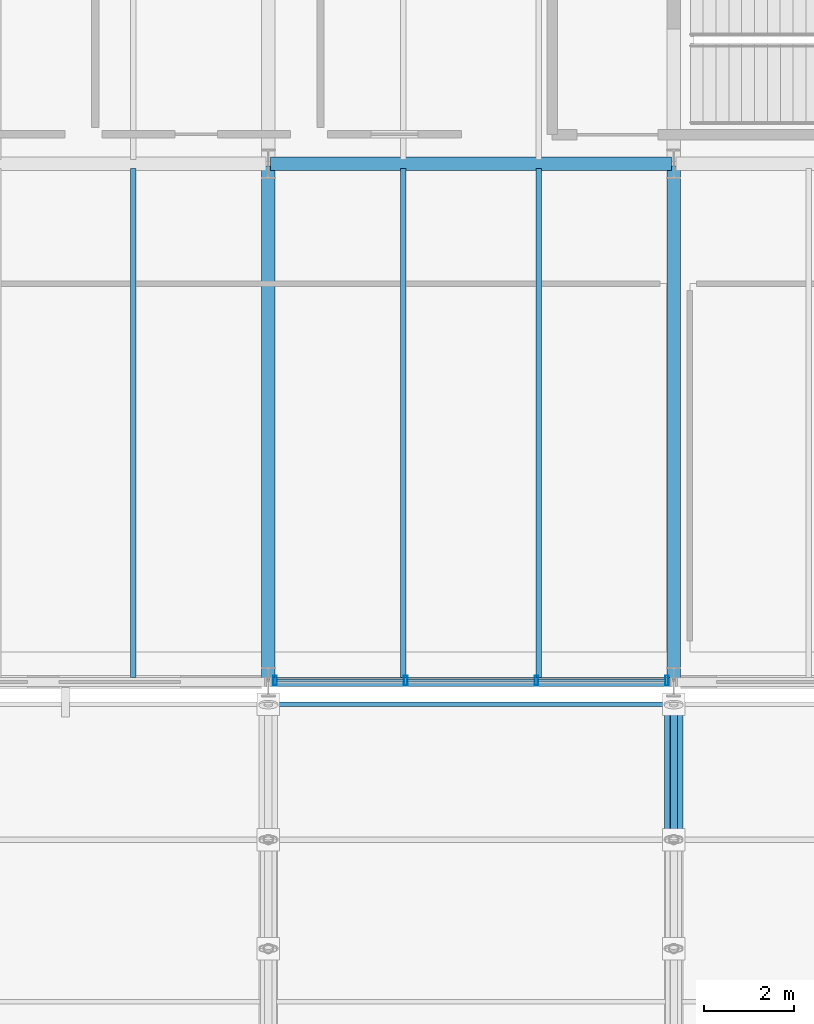
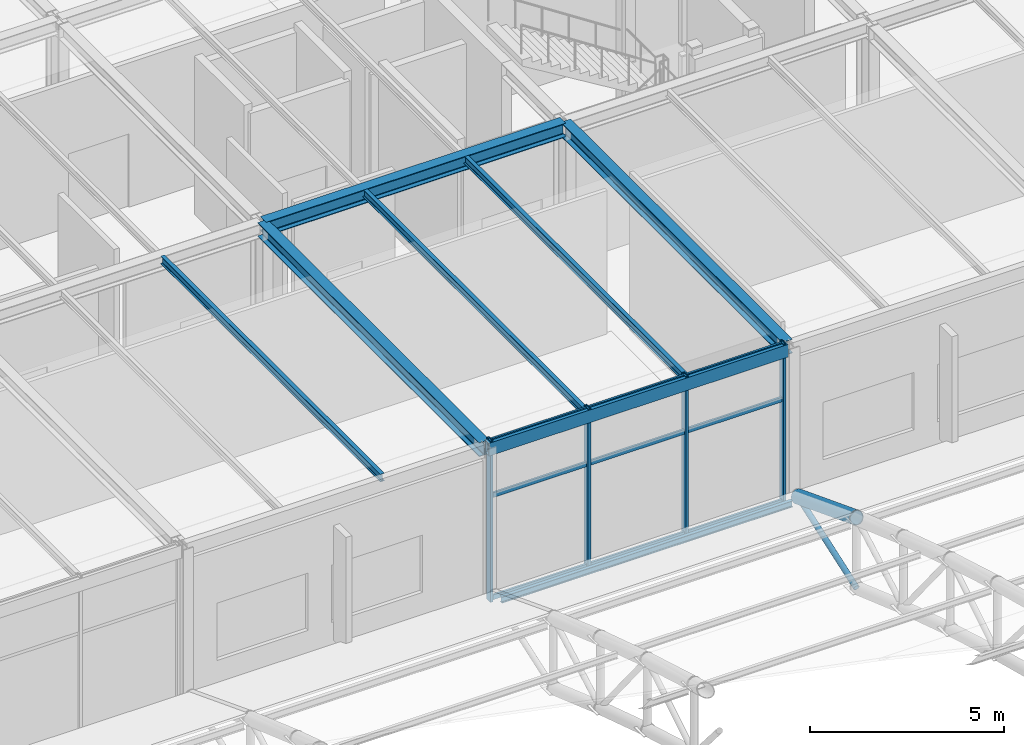
# One storey, part 43 of 195: 16 members, 7 beams, 1 element without a shape of its own.
"""IFC4 building model written with IfcOpenShell, lengths in metres."""

from ifc_helpers import new_model, si_unit, direction, frame, origin, origin_2d, place, context, subcontext, project, spatial, hollow_rectangle, hollow_circle, i_section, extrude, material, layer, layer_set, material_profile, profile_set, type_object, element, aggregate, save


model = new_model("IFC4")

# Units and contexts
model_context = context("Model", 3, precision=1e-05, world=origin(), true_north=direction((0.0, 1.0)))
body_context = subcontext(model_context, "Body", "Model", "MODEL_VIEW")
ifc_project = project(units=[si_unit("LENGTHUNIT", "METRE"), si_unit("AREAUNIT", "SQUARE_METRE"), si_unit("VOLUMEUNIT", "CUBIC_METRE"), si_unit("PLANEANGLEUNIT", "RADIAN"), si_unit("MASSUNIT", "GRAM", prefix="KILO")], contexts=[model_context])

# Site, building, storey
site_placement = place(None, origin())
site = spatial("IfcSite", under=ifc_project, at=site_placement, CompositionType="ELEMENT")
building_placement = place(site_placement, origin())
building = spatial("IfcBuilding", under=site, at=building_placement, Name="Marlcrest Central Station", CompositionType="ELEMENT")
storey_placement = place(building_placement, frame((0.0, 0.0, 9.800048828125)))
storey = spatial("IfcBuildingStorey", under=building, at=storey_placement, Name="L02", CompositionType="ELEMENT", Elevation=9.800048828125)

# Members
ifc_material_1 = material(Name="Steel S355", Category="steel")
ifc_material_profile_1 = material_profile(ifc_material_1, hollow_circle(Radius=0.203125, WallThickness=0.02001953125, at=origin_2d()), Name="CHS 406.4x20")
ifc_profile_set_1 = profile_set([ifc_material_profile_1], Name="Steel S355")
member_type_1 = type_object("IfcMemberType", Name="AC-01", PredefinedType="CHORD", material=ifc_profile_set_1)
member_1_placement = place(storey_placement, frame((45.0, 95.5, 1.599853515625), z_axis=(0.0, 0.933324071143, -0.359035065453), x_axis=(-1.0, 0.0, 0.0)))
element("IfcMember", 1, at=member_1_placement, inside=storey, type_object=member_type_1, Name="mem-AC-01-L02-00739", PredefinedType="CHORD", context=body_context, shape_type="SweptSolid", body=[
    extrude(hollow_circle(Radius=0.203125, WallThickness=0.02001953125, at=origin_2d()), origin(), (0.0, 0.0, 1.0), 3.21435546875),
])
ifc_material_profile_2 = material_profile(ifc_material_1, hollow_circle(Radius=0.084228515625, WallThickness=0.010009765625, at=origin_2d()), Name="CHS 168.3x10")
ifc_profile_set_2 = profile_set([ifc_material_profile_2], Name="Steel S355")
member_type_2 = type_object("IfcMemberType", Name="AD-01", PredefinedType="BRACE", material=ifc_profile_set_2)
member_2_placement = place(storey_placement, frame((45.0, 95.5, -0.60009765625), z_axis=(0.0, 0.944260188635, 0.329200085296), x_axis=(-1.0, 0.0, 0.0)))
element("IfcMember", 2, at=member_2_placement, inside=storey, type_object=member_type_2, Name="mem-AD-01-L02-00741", PredefinedType="BRACE", context=body_context, shape_type="SweptSolid", body=[
    extrude(hollow_circle(Radius=0.084228515625, WallThickness=0.010009765625, at=origin_2d()), origin(), (0.0, 0.0, 1.0), 3.177001953125),
])

# Beams
ifc_material_profile_3 = material_profile(ifc_material_1, i_section(OverallWidth=0.300048828125, OverallDepth=0.43994140625, WebThickness=0.011474609375, FlangeThickness=0.02099609375, FilletRadius=0.027099609375, at=origin_2d()), Name="HEA 450")
ifc_profile_set_3 = profile_set([ifc_material_profile_3], Name="Steel S355")
beam_type_1 = type_object("IfcBeamType", Name="BM-09", PredefinedType="BEAM", material=ifc_profile_set_3)
beam_1_placement = place(storey_placement, frame((36.050048828125, 110.5, 4.780029296875), z_axis=(1.0, 0.0, 0.0), x_axis=(0.0, 1.0, 0.0)))
element("IfcBeam", 3, at=beam_1_placement, inside=storey, type_object=beam_type_1, Name="bm-BM-09-L02-00361", PredefinedType="BEAM", context=body_context, shape_type="SweptSolid", body=[
    extrude(i_section(OverallWidth=0.300048828125, OverallDepth=0.43994140625, WebThickness=0.011474609375, FlangeThickness=0.02099609375, FilletRadius=0.027099609375, at=origin_2d()), origin(), (0.0, 0.0, 1.0), 8.89990234375),
])
for number, where, z_axis, x_axis, name in (
    (4, (36.0, 99.050048828125, 4.780029296875), (0.0, 1.0, 0.0), (-1.0, 0.0, 0.0), "bm-BM-09-L02-00396"),
    (5, (45.0, 99.050048828125, 4.780029296875), (0.0, 1.0, 0.0), (-1.0, 0.0, 0.0), "bm-BM-09-L02-00399"),
):
    element("IfcBeam", number, at=place(storey_placement, frame(where, z_axis=z_axis, x_axis=x_axis)), inside=storey, type_object=beam_type_1, Name=name, PredefinedType="BEAM", context=body_context, shape_type="SweptSolid", body=[
        extrude(i_section(OverallWidth=0.300048828125, OverallDepth=0.43994140625, WebThickness=0.011474609375, FlangeThickness=0.02099609375, FilletRadius=0.027099609375, at=origin_2d()), origin(), (0.0, 0.0, 1.0), 11.39990234375),
    ])
ifc_material_profile_4 = material_profile(ifc_material_1, i_section(OverallWidth=0.1201171875, OverallDepth=0.239990234375, WebThickness=0.006103515625, FlangeThickness=0.009765625, FilletRadius=0.014892578125, at=origin_2d()), Name="IPE 240")
ifc_profile_set_4 = profile_set([ifc_material_profile_4], Name="Steel S355")
beam_type_2 = type_object("IfcBeamType", Name="JS-03", PredefinedType="JOIST", material=ifc_profile_set_4)
for number, where, z_axis, x_axis, name in (
    (6, (33.0, 99.094970703125, 4.8798828125), (0.0, 1.0, 0.0), (-1.0, 0.0, 0.0), "bm-JS-03-L02-00435"),
    (7, (39.0, 99.094970703125, 4.8798828125), (0.0, 1.0, 0.0), (-1.0, 0.0, 0.0), "bm-JS-03-L02-00438"),
    (8, (42.0, 99.094970703125, 4.8798828125), (0.0, 1.0, 0.0), (-1.0, 0.0, 0.0), "bm-JS-03-L02-00441"),
):
    element("IfcBeam", number, at=place(storey_placement, frame(where, z_axis=z_axis, x_axis=x_axis)), inside=storey, type_object=beam_type_2, Name=name, PredefinedType="JOIST", context=body_context, shape_type="SweptSolid", body=[
        extrude(i_section(OverallWidth=0.1201171875, OverallDepth=0.239990234375, WebThickness=0.006103515625, FlangeThickness=0.009765625, FilletRadius=0.014892578125, at=origin_2d()), origin(), (0.0, 0.0, 1.0), 11.304931640625),
    ])

# Curtain wall, members
ifc_material_2 = material(Name="Anodised aluminium and hurricane laminated glass", Category="aluminium")
ifc_layer = layer(ifc_material_2, 0.219970703125, Name="CW-U1")
ifc_layer_set = layer_set([ifc_layer], Name="Anodised aluminium and hurricane laminated glass")
curtain_wall_type = type_object("IfcCurtainWallType", Name="CW-U1", PredefinedType="USERDEFINED", material=ifc_layer_set)
curtain_wall_placement = place(storey_placement, origin())
curtain_wall = element("IfcCurtainWall", 9, at=curtain_wall_placement, inside=storey, type_object=curtain_wall_type, Name="cw-L02-0161", ObjectType="UNITISED_CURTAIN_WALL", PredefinedType="USERDEFINED")
ifc_material_3 = material(Name="Anodised aluminium 6063-T6", Category="aluminium")
ifc_material_profile_5 = material_profile(ifc_material_3, hollow_rectangle(XDim=0.080078125, YDim=0.219970703125, WallThickness=0.006103515625, at=origin_2d()), Name="AA-RHS 220x80x6")
ifc_profile_set_5 = profile_set([ifc_material_profile_5], Name="Anodised aluminium 6063-T6")
member_type_3 = type_object("IfcMemberType", Name="ML-01", PredefinedType="MULLION", material=ifc_profile_set_5)
member_3_placement = place(storey_placement, frame((44.85009765625, 99.030029296875, -0.030029296875), z_axis=(0.0, 0.0, 1.0), x_axis=(1.0, 0.0, 0.0)))
member_3 = element("IfcMember", 10, at=member_3_placement, type_object=member_type_3, Name="cw-L02-0161-ml-0", PredefinedType="MULLION", context=body_context, shape_type="SweptSolid", body=[
    extrude(hollow_rectangle(XDim=0.080078125, YDim=0.219970703125, WallThickness=0.006103515625, at=origin_2d()), origin(), (0.0, 0.0, 1.0), 5.06005859375),
])
member_4_placement = place(storey_placement, frame((41.949951171875, 99.030029296875, -0.030029296875), z_axis=(0.0, 0.0, 1.0), x_axis=(1.0, 0.0, 0.0)))
member_4 = element("IfcMember", 11, at=member_4_placement, type_object=member_type_3, Name="cw-L02-0161-ml-1", PredefinedType="MULLION", context=body_context, shape_type="SweptSolid", body=[
    extrude(hollow_rectangle(XDim=0.080078125, YDim=0.219970703125, WallThickness=0.006103515625, at=origin_2d()), origin(), (0.0, 0.0, 1.0), 5.06005859375),
])
member_5_placement = place(storey_placement, frame((39.050048828125, 99.030029296875, -0.030029296875), z_axis=(0.0, 0.0, 1.0), x_axis=(1.0, 0.0, 0.0)))
member_5 = element("IfcMember", 12, at=member_5_placement, type_object=member_type_3, Name="cw-L02-0161-ml-2", PredefinedType="MULLION", context=body_context, shape_type="SweptSolid", body=[
    extrude(hollow_rectangle(XDim=0.080078125, YDim=0.219970703125, WallThickness=0.006103515625, at=origin_2d()), origin(), (0.0, 0.0, 1.0), 5.06005859375),
])
member_6_placement = place(storey_placement, frame((36.14990234375, 99.030029296875, -0.030029296875), z_axis=(0.0, 0.0, 1.0), x_axis=(1.0, 0.0, 0.0)))
member_6 = element("IfcMember", 13, at=member_6_placement, type_object=member_type_3, Name="cw-L02-0161-ml-3", PredefinedType="MULLION", context=body_context, shape_type="SweptSolid", body=[
    extrude(hollow_rectangle(XDim=0.080078125, YDim=0.219970703125, WallThickness=0.006103515625, at=origin_2d()), origin(), (0.0, 0.0, 1.0), 5.06005859375),
])

# Member
ifc_material_profile_6 = material_profile(ifc_material_1, i_section(OverallWidth=0.10009765625, OverallDepth=0.199951171875, WebThickness=0.005615234375, FlangeThickness=0.008544921875, FilletRadius=0.011962890625, at=origin_2d()), Name="IPE 200")
ifc_profile_set_6 = profile_set([ifc_material_profile_6], Name="Steel S355")
member_type_4 = type_object("IfcMemberType", Name="PR-01", PredefinedType="PURLIN", material=ifc_profile_set_6)
member_7_placement = place(storey_placement, frame((36.179931640625, 98.5, 0.3056640625), z_axis=(1.0, 0.0, 0.0), x_axis=(0.0, 1.0, 0.0)))
element("IfcMember", 14, at=member_7_placement, inside=storey, type_object=member_type_4, Name="mem-PR-01-L02-00640", PredefinedType="PURLIN", context=body_context, shape_type="SweptSolid", body=[
    extrude(i_section(OverallWidth=0.10009765625, OverallDepth=0.199951171875, WebThickness=0.005615234375, FlangeThickness=0.008544921875, FilletRadius=0.011962890625, at=origin_2d()), origin(), (0.0, 0.0, 1.0), 8.64013671875),
])

# Beam
ifc_material_profile_7 = material_profile(ifc_material_1, hollow_rectangle(XDim=0.199951171875, YDim=0.39990234375, WallThickness=0.01611328125, at=origin_2d()), Name="RHS 400x200x16")
ifc_profile_set_7 = profile_set([ifc_material_profile_7], Name="Steel S355")
beam_type_3 = type_object("IfcBeamType", Name="SP-01", PredefinedType="SPANDREL", material=ifc_profile_set_7)
beam_2_placement = place(storey_placement, frame((36.050048828125, 99.0, 4.800048828125), z_axis=(1.0, 0.0, 0.0), x_axis=(0.0, 1.0, 0.0)))
element("IfcBeam", 15, at=beam_2_placement, inside=storey, type_object=beam_type_3, Name="bm-SP-01-L02-00352", PredefinedType="SPANDREL", context=body_context, shape_type="SweptSolid", body=[
    extrude(hollow_rectangle(XDim=0.199951171875, YDim=0.39990234375, WallThickness=0.01611328125, at=origin_2d()), origin(), (0.0, 0.0, 1.0), 8.89990234375),
])

# Member
ifc_material_profile_8 = material_profile(ifc_material_3, hollow_rectangle(XDim=0.06005859375, YDim=0.14990234375, WallThickness=0.00390625, at=origin_2d()), Name="AA-RHS 150x60x4")
ifc_profile_set_8 = profile_set([ifc_material_profile_8], Name="Anodised aluminium 6063-T6")
member_type_5 = type_object("IfcMemberType", Name="TR-01", PredefinedType="USERDEFINED", material=ifc_profile_set_8)
member_8_placement = place(storey_placement, frame((44.81201171875, 99.030029296875, 0.0400390625), z_axis=(-1.0, 0.0, 0.0), x_axis=(0.0, -1.0, 0.0)))
member_8 = element("IfcMember", 16, at=member_8_placement, type_object=member_type_5, Name="cw-L02-0161-tr-0-sill", ObjectType="TRANSOM", PredefinedType="USERDEFINED", context=body_context, shape_type="SweptSolid", body=[
    extrude(hollow_rectangle(XDim=0.06005859375, YDim=0.14990234375, WallThickness=0.00390625, at=origin_2d()), origin(), (0.0, 0.0, 1.0), 2.823974609375),
])

member_9_placement = place(storey_placement, frame((44.81201171875, 99.030029296875, 3.25), z_axis=(-1.0, 0.0, 0.0), x_axis=(0.0, -1.0, 0.0)))
member_9 = element("IfcMember", 17, at=member_9_placement, type_object=member_type_5, Name="cw-L02-0161-tr-0-mid", ObjectType="TRANSOM", PredefinedType="USERDEFINED", context=body_context, shape_type="SweptSolid", body=[
    extrude(hollow_rectangle(XDim=0.06005859375, YDim=0.14990234375, WallThickness=0.00390625, at=origin_2d()), origin(), (0.0, 0.0, 1.0), 2.823974609375),
])

member_10_placement = place(storey_placement, frame((44.81201171875, 99.030029296875, 4.9599609375), z_axis=(-1.0, 0.0, 0.0), x_axis=(0.0, -1.0, 0.0)))
member_10 = element("IfcMember", 18, at=member_10_placement, type_object=member_type_5, Name="cw-L02-0161-tr-0-head", ObjectType="TRANSOM", PredefinedType="USERDEFINED", context=body_context, shape_type="SweptSolid", body=[
    extrude(hollow_rectangle(XDim=0.06005859375, YDim=0.14990234375, WallThickness=0.00390625, at=origin_2d()), origin(), (0.0, 0.0, 1.0), 2.823974609375),
])

member_11_placement = place(storey_placement, frame((41.912109375, 99.030029296875, 0.0400390625), z_axis=(-1.0, 0.0, 0.0), x_axis=(0.0, -1.0, 0.0)))
member_11 = element("IfcMember", 19, at=member_11_placement, type_object=member_type_5, Name="cw-L02-0161-tr-1-sill", ObjectType="TRANSOM", PredefinedType="USERDEFINED", context=body_context, shape_type="SweptSolid", body=[
    extrude(hollow_rectangle(XDim=0.06005859375, YDim=0.14990234375, WallThickness=0.00390625, at=origin_2d()), origin(), (0.0, 0.0, 1.0), 2.82421875),
])

member_12_placement = place(storey_placement, frame((41.912109375, 99.030029296875, 3.25), z_axis=(-1.0, 0.0, 0.0), x_axis=(0.0, -1.0, 0.0)))
member_12 = element("IfcMember", 20, at=member_12_placement, type_object=member_type_5, Name="cw-L02-0161-tr-1-mid", ObjectType="TRANSOM", PredefinedType="USERDEFINED", context=body_context, shape_type="SweptSolid", body=[
    extrude(hollow_rectangle(XDim=0.06005859375, YDim=0.14990234375, WallThickness=0.00390625, at=origin_2d()), origin(), (0.0, 0.0, 1.0), 2.82421875),
])

member_13_placement = place(storey_placement, frame((41.912109375, 99.030029296875, 4.9599609375), z_axis=(-1.0, 0.0, 0.0), x_axis=(0.0, -1.0, 0.0)))
member_13 = element("IfcMember", 21, at=member_13_placement, type_object=member_type_5, Name="cw-L02-0161-tr-1-head", ObjectType="TRANSOM", PredefinedType="USERDEFINED", context=body_context, shape_type="SweptSolid", body=[
    extrude(hollow_rectangle(XDim=0.06005859375, YDim=0.14990234375, WallThickness=0.00390625, at=origin_2d()), origin(), (0.0, 0.0, 1.0), 2.82421875),
])

member_14_placement = place(storey_placement, frame((39.011962890625, 99.030029296875, 0.0400390625), z_axis=(-1.0, 0.0, 0.0), x_axis=(0.0, -1.0, 0.0)))
member_14 = element("IfcMember", 22, at=member_14_placement, type_object=member_type_5, Name="cw-L02-0161-tr-2-sill", ObjectType="TRANSOM", PredefinedType="USERDEFINED", context=body_context, shape_type="SweptSolid", body=[
    extrude(hollow_rectangle(XDim=0.06005859375, YDim=0.14990234375, WallThickness=0.00390625, at=origin_2d()), origin(), (0.0, 0.0, 1.0), 2.823974609375),
])

member_15_placement = place(storey_placement, frame((39.011962890625, 99.030029296875, 3.25), z_axis=(-1.0, 0.0, 0.0), x_axis=(0.0, -1.0, 0.0)))
member_15 = element("IfcMember", 23, at=member_15_placement, type_object=member_type_5, Name="cw-L02-0161-tr-2-mid", ObjectType="TRANSOM", PredefinedType="USERDEFINED", context=body_context, shape_type="SweptSolid", body=[
    extrude(hollow_rectangle(XDim=0.06005859375, YDim=0.14990234375, WallThickness=0.00390625, at=origin_2d()), origin(), (0.0, 0.0, 1.0), 2.823974609375),
])

member_16_placement = place(storey_placement, frame((39.011962890625, 99.030029296875, 4.9599609375), z_axis=(-1.0, 0.0, 0.0), x_axis=(0.0, -1.0, 0.0)))
member_16 = element("IfcMember", 24, at=member_16_placement, type_object=member_type_5, Name="cw-L02-0161-tr-2-head", ObjectType="TRANSOM", PredefinedType="USERDEFINED", context=body_context, shape_type="SweptSolid", body=[
    extrude(hollow_rectangle(XDim=0.06005859375, YDim=0.14990234375, WallThickness=0.00390625, at=origin_2d()), origin(), (0.0, 0.0, 1.0), 2.823974609375),
])

aggregate(curtain_wall, [member_3, member_4, member_5, member_6, member_8, member_9, member_10, member_11, member_12, member_13, member_14, member_15, member_16])

save(model, "model.ifc")
